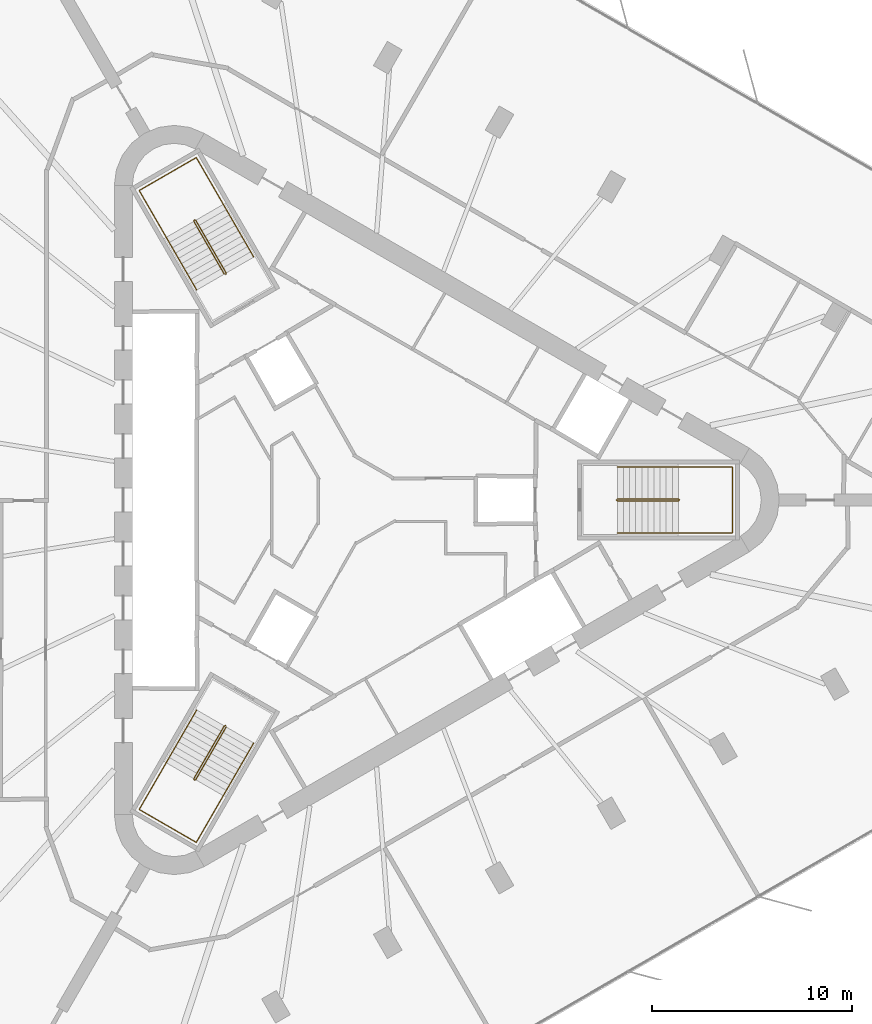
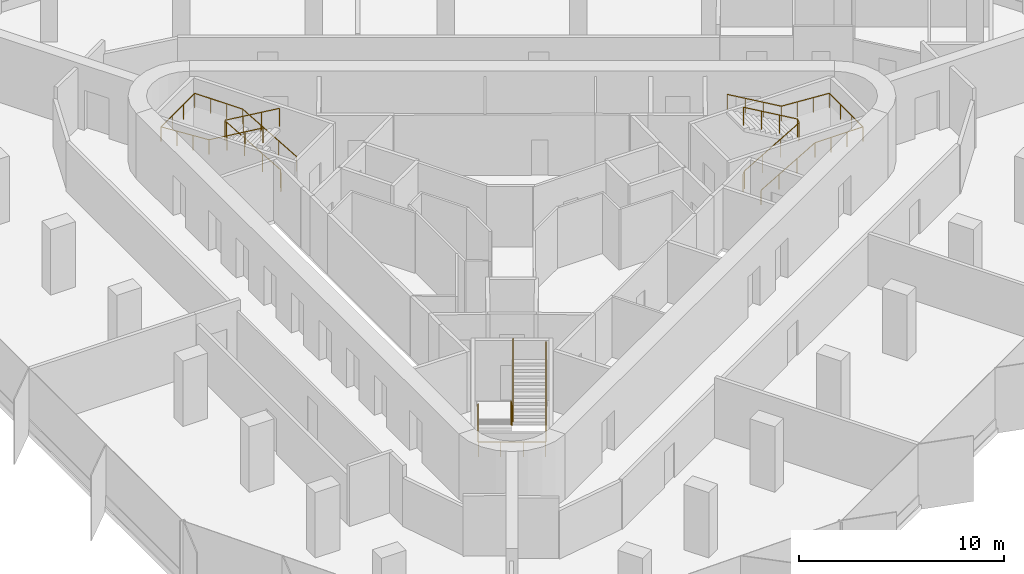
# One storey, part 12 of 12: 6 railings.
"""IFC4 building model written with IfcOpenShell, lengths in metres."""

from ifc_helpers import new_model, si_unit, direction, frame, origin, origin_2d, place, context, subcontext, project, spatial, circle, extrude, material, type_object, element, save


model = new_model("IFC4")

# Units and contexts
model_context = context("Model", 3, precision=1e-05, world=origin(), true_north=direction((0.0, 1.0)))
body_context = subcontext(model_context, "Body", "Model", "MODEL_VIEW")
ifc_project = project(units=[si_unit("LENGTHUNIT", "METRE"), si_unit("AREAUNIT", "SQUARE_METRE"), si_unit("VOLUMEUNIT", "CUBIC_METRE"), si_unit("PLANEANGLEUNIT", "RADIAN"), si_unit("MASSUNIT", "GRAM", prefix="KILO")], contexts=[model_context])

# Site, building, storey
site_placement = place(None, origin())
site = spatial("IfcSite", under=ifc_project, at=site_placement, CompositionType="ELEMENT")
building_placement = place(site_placement, origin())
building = spatial("IfcBuilding", under=site, at=building_placement, Name="Tanit Gate Tower", CompositionType="ELEMENT")
storey_placement = place(building_placement, frame((0.0, 0.0, 333.800048828125)))
storey = spatial("IfcBuildingStorey", under=building, at=storey_placement, Name="L75", CompositionType="ELEMENT", Elevation=333.800048828125)

# Railings
ifc_material_1 = material(Name="Stainless steel balustrade", Category="steel")
railing_type_1 = type_object("IfcRailingType", Name="INT-STAIR-GUARD", PredefinedType="GUARDRAIL", material=ifc_material_1)
railing_1_placement = place(storey_placement, frame((13.044921875, 0.0048828125, 0.0)))
element("IfcRailing", 1, at=railing_1_placement, inside=storey, type_object=railing_type_1, Name="L75 S1 stair guard 1", PredefinedType="GUARDRAIL", context=body_context, shape_type="SweptSolid", body=[
    extrude(circle(Radius=0.02392578125, at=origin_2d()), frame((0.0, 0.0, 1.076171875), z_axis=(0.0, -1.0, 0.0), x_axis=(1.0, 0.0, 0.0)), (0.0, 0.0, 1.0), 0.009765625),
    extrude(circle(Radius=0.02392578125, at=origin_2d()), frame((0.0, -0.009765625, 1.076171875), z_axis=(0.262233686654, -0.262233686654, 0.928691007369), x_axis=(0.707106781187, 0.707106781187, 0.0)), (0.0, 0.0, 1.0), 0.19091796875),
    extrude(circle(Radius=0.02392578125, at=origin_2d()), frame((0.050048828125, -0.059814453125, 1.25341796875), z_axis=(0.864648382064, 0.0, 0.502377522779), x_axis=(0.0, 1.0, 0.0)), (0.0, 0.0, 1.0), 3.528564453125),
    extrude(circle(Radius=0.02392578125, at=origin_2d()), frame((3.10107421875, -0.059814453125, 3.02587890625), z_axis=(0.707106781187, 0.707106781187, 0.0), x_axis=(-0.707106781187, 0.707106781187, 0.0)), (0.0, 0.0, 1.0), 0.07080078125),
    extrude(circle(Radius=0.02392578125, at=origin_2d()), frame((3.151123046875, -0.009765625, 3.02587890625), z_axis=(0.0, 1.0, 0.0), x_axis=(-1.0, 0.0, 0.0)), (0.0, 0.0, 1.0), 0.009765625),
    extrude(circle(Radius=0.02392578125, at=origin_2d()), frame((3.151123046875, 0.0, 3.02587890625), z_axis=(-0.262233686654, 0.262233686654, 0.928691007369), x_axis=(-0.707106781187, -0.707106781187, 0.0)), (0.0, 0.0, 1.0), 0.19091796875),
    extrude(circle(Radius=0.02392578125, at=origin_2d()), frame((3.10107421875, 0.050048828125, 3.203125), z_axis=(-0.864648382064, 0.0, 0.502377522779), x_axis=(0.0, -1.0, 0.0)), (0.0, 0.0, 1.0), 3.528564453125),
    extrude(circle(Radius=0.02099609375, at=origin_2d()), origin(), (0.0, 0.0, 1.0), 1.052001953125),
    extrude(circle(Radius=0.02099609375, at=origin_2d()), frame((0.0, -0.009765625, 0.0)), (0.0, 0.0, 1.0), 1.052001953125),
    extrude(circle(Radius=0.02099609375, at=origin_2d()), frame((0.050048828125, -0.059814453125, 0.17724609375)), (0.0, 0.0, 1.0), 1.052001953125),
    extrude(circle(Radius=0.02099609375, at=origin_2d()), frame((1.067138671875, -0.059814453125, 0.76806640625)), (0.0, 0.0, 1.0), 1.052001953125),
    extrude(circle(Radius=0.02099609375, at=origin_2d()), frame((2.083984375, -0.059814453125, 1.359130859375)), (0.0, 0.0, 1.0), 1.052001953125),
    extrude(circle(Radius=0.02099609375, at=origin_2d()), frame((3.10107421875, -0.059814453125, 1.949951171875)), (0.0, 0.0, 1.0), 1.052001953125),
    extrude(circle(Radius=0.02099609375, at=origin_2d()), frame((3.151123046875, -0.009765625, 1.949951171875)), (0.0, 0.0, 1.0), 1.052001953125),
    extrude(circle(Radius=0.02099609375, at=origin_2d()), frame((3.151123046875, 0.0, 1.949951171875)), (0.0, 0.0, 1.0), 1.052001953125),
    extrude(circle(Radius=0.02099609375, at=origin_2d()), frame((3.10107421875, 0.050048828125, 2.127197265625)), (0.0, 0.0, 1.0), 1.052001953125),
    extrude(circle(Radius=0.02099609375, at=origin_2d()), frame((2.083984375, 0.050048828125, 2.718017578125)), (0.0, 0.0, 1.0), 1.052001953125),
    extrude(circle(Radius=0.02099609375, at=origin_2d()), frame((1.067138671875, 0.050048828125, 3.30908203125)), (0.0, 0.0, 1.0), 1.052001953125),
    extrude(circle(Radius=0.02099609375, at=origin_2d()), frame((0.050048828125, 0.050048828125, 3.89990234375)), (0.0, 0.0, 1.0), 1.052001953125),
])
railing_2_placement = place(storey_placement, frame((-6.527099609375, 11.29345703125, 0.0)))
element("IfcRailing", 2, at=railing_2_placement, inside=storey, type_object=railing_type_1, Name="L75 S2 stair guard 1", PredefinedType="GUARDRAIL", context=body_context, shape_type="SweptSolid", body=[
    extrude(circle(Radius=0.02392578125, at=origin_2d()), frame((0.0, 0.0, 1.076171875), z_axis=(0.868243142124, 0.496138938357, 0.0), x_axis=(-0.496138938357, 0.868243142124, 0.0)), (0.0, 0.0, 1.0), 0.01171875),
    extrude(circle(Radius=0.02392578125, at=origin_2d()), frame((0.01025390625, 0.005859375, 1.076171875), z_axis=(0.095941116058, 0.358180166617, 0.928710003441), x_axis=(-0.965948051503, 0.258736085224, 0.0)), (0.0, 0.0, 1.0), 0.19091796875),
    extrude(circle(Radius=0.02392578125, at=origin_2d()), frame((0.028564453125, 0.07421875, 1.25341796875), z_axis=(-0.4322777601, 0.748681545756, 0.50260509465), x_axis=(-0.866012246495, -0.500022788402, 0.0)), (0.0, 0.0, 1.0), 3.527099609375),
    extrude(circle(Radius=0.02392578125, at=origin_2d()), frame((-1.49609375, 2.71484375, 3.02587890625), z_axis=(-0.965715946433, 0.259601060869, 0.0), x_axis=(-0.259601060869, -0.965715946433, 0.0)), (0.0, 0.0, 1.0), 0.070556640625),
    extrude(circle(Radius=0.02392578125, at=origin_2d()), frame((-1.564208984375, 2.733154296875, 3.02587890625), z_axis=(-0.873197702015, -0.487366159264, 0.0), x_axis=(0.487366159264, -0.873197702015, 0.0)), (0.0, 0.0, 1.0), 0.011962890625),
    extrude(circle(Radius=0.02392578125, at=origin_2d()), frame((-1.57470703125, 2.727294921875, 3.02587890625), z_axis=(-0.095941116058, -0.358180166617, 0.928710003441), x_axis=(0.965948051503, -0.258736085224, 0.0)), (0.0, 0.0, 1.0), 0.19091796875),
    extrude(circle(Radius=0.02392578125, at=origin_2d()), frame((-1.593017578125, 2.658935546875, 3.203125), z_axis=(0.4322777601, -0.748681545756, 0.50260509465), x_axis=(0.866012246495, 0.500022788402, 0.0)), (0.0, 0.0, 1.0), 3.527099609375),
    extrude(circle(Radius=0.02099609375, at=origin_2d()), origin(), (0.0, 0.0, 1.0), 1.052001953125),
    extrude(circle(Radius=0.02099609375, at=origin_2d()), frame((0.01025390625, 0.005859375, 0.0)), (0.0, 0.0, 1.0), 1.052001953125),
    extrude(circle(Radius=0.02099609375, at=origin_2d()), frame((0.028564453125, 0.07421875, 0.17724609375)), (0.0, 0.0, 1.0), 1.052001953125),
    extrude(circle(Radius=0.02099609375, at=origin_2d()), frame((-0.479736328125, 0.954345703125, 0.76806640625)), (0.0, 0.0, 1.0), 1.052001953125),
    extrude(circle(Radius=0.02099609375, at=origin_2d()), frame((-0.98779296875, 1.834716796875, 1.359130859375)), (0.0, 0.0, 1.0), 1.052001953125),
    extrude(circle(Radius=0.02099609375, at=origin_2d()), frame((-1.49609375, 2.71484375, 1.949951171875)), (0.0, 0.0, 1.0), 1.052001953125),
    extrude(circle(Radius=0.02099609375, at=origin_2d()), frame((-1.564208984375, 2.733154296875, 1.949951171875)), (0.0, 0.0, 1.0), 1.052001953125),
    extrude(circle(Radius=0.02099609375, at=origin_2d()), frame((-1.57470703125, 2.727294921875, 1.949951171875)), (0.0, 0.0, 1.0), 1.052001953125),
    extrude(circle(Radius=0.02099609375, at=origin_2d()), frame((-1.593017578125, 2.658935546875, 2.127197265625)), (0.0, 0.0, 1.0), 1.052001953125),
    extrude(circle(Radius=0.02099609375, at=origin_2d()), frame((-1.084716796875, 1.77880859375, 2.718017578125)), (0.0, 0.0, 1.0), 1.052001953125),
    extrude(circle(Radius=0.02099609375, at=origin_2d()), frame((-0.57666015625, 0.8984375, 3.30908203125)), (0.0, 0.0, 1.0), 1.052001953125),
    extrude(circle(Radius=0.02099609375, at=origin_2d()), frame((-0.068359375, 0.018310546875, 3.89990234375)), (0.0, 0.0, 1.0), 1.052001953125),
])
railing_3_placement = place(storey_placement, frame((-6.51806640625, -11.2998046875, 0.0)))
element("IfcRailing", 3, at=railing_3_placement, inside=storey, type_object=railing_type_1, Name="L75 S3 stair guard 1", PredefinedType="GUARDRAIL", context=body_context, shape_type="SweptSolid", body=[
    extrude(circle(Radius=0.02392578125, at=origin_2d()), frame((0.0, 0.0, 1.076171875), z_axis=(-0.874157276122, 0.485642931179, 0.0), x_axis=(-0.485642931179, -0.874157276122, 0.0)), (0.0, 0.0, 1.0), 0.010009765625),
    extrude(circle(Radius=0.02392578125, at=origin_2d()), frame((-0.0087890625, 0.0048828125, 1.076171875), z_axis=(-0.358223840744, -0.094673443625, 0.928823244215), x_axis=(0.255512919477, -0.966805641264, 0.0)), (0.0, 0.0, 1.0), 0.19091796875),
    extrude(circle(Radius=0.02392578125, at=origin_2d()), frame((-0.0771484375, -0.01318359375, 1.25341796875), z_axis=(-0.432289778901, -0.748827189027, 0.502377734411), x_axis=(0.866048339477, -0.499960272111, 0.0)), (0.0, 0.0, 1.0), 3.528564453125),
    extrude(circle(Radius=0.02392578125, at=origin_2d()), frame((-1.6025390625, -2.655517578125, 3.02587890625), z_axis=(0.258736085224, -0.965948051503, 0.0), x_axis=(0.965948051503, 0.258736085224, 0.0)), (0.0, 0.0, 1.0), 0.07080078125),
    extrude(circle(Radius=0.02392578125, at=origin_2d()), frame((-1.584228515625, -2.723876953125, 3.02587890625), z_axis=(0.868243142124, -0.496138938357, 0.0), x_axis=(0.496138938357, 0.868243142124, 0.0)), (0.0, 0.0, 1.0), 0.009765625),
    extrude(circle(Radius=0.02392578125, at=origin_2d()), frame((-1.57568359375, -2.728759765625, 3.02587890625), z_axis=(0.358180166617, 0.095941116058, 0.928710003441), x_axis=(-0.258736085224, 0.965948051503, 0.0)), (0.0, 0.0, 1.0), 0.19091796875),
    extrude(circle(Radius=0.02392578125, at=origin_2d()), frame((-1.50732421875, -2.71044921875, 3.203125), z_axis=(0.432368434633, 0.748774395838, 0.502388734816), x_axis=(-0.865993683553, 0.500054937028, 0.0)), (0.0, 0.0, 1.0), 3.528564453125),
    extrude(circle(Radius=0.02099609375, at=origin_2d()), origin(), (0.0, 0.0, 1.0), 1.052001953125),
    extrude(circle(Radius=0.02099609375, at=origin_2d()), frame((-0.0087890625, 0.0048828125, 0.0)), (0.0, 0.0, 1.0), 1.052001953125),
    extrude(circle(Radius=0.02099609375, at=origin_2d()), frame((-0.0771484375, -0.01318359375, 0.17724609375)), (0.0, 0.0, 1.0), 1.052001953125),
    extrude(circle(Radius=0.02099609375, at=origin_2d()), frame((-0.585693359375, -0.89404296875, 0.76806640625)), (0.0, 0.0, 1.0), 1.052001953125),
    extrude(circle(Radius=0.02099609375, at=origin_2d()), frame((-1.093994140625, -1.774658203125, 1.359130859375)), (0.0, 0.0, 1.0), 1.052001953125),
    extrude(circle(Radius=0.02099609375, at=origin_2d()), frame((-1.6025390625, -2.655517578125, 1.949951171875)), (0.0, 0.0, 1.0), 1.052001953125),
    extrude(circle(Radius=0.02099609375, at=origin_2d()), frame((-1.584228515625, -2.723876953125, 1.949951171875)), (0.0, 0.0, 1.0), 1.052001953125),
    extrude(circle(Radius=0.02099609375, at=origin_2d()), frame((-1.57568359375, -2.728759765625, 1.949951171875)), (0.0, 0.0, 1.0), 1.052001953125),
    extrude(circle(Radius=0.02099609375, at=origin_2d()), frame((-1.50732421875, -2.71044921875, 2.127197265625)), (0.0, 0.0, 1.0), 1.052001953125),
    extrude(circle(Radius=0.02099609375, at=origin_2d()), frame((-0.998779296875, -1.829833984375, 2.718017578125)), (0.0, 0.0, 1.0), 1.052001953125),
    extrude(circle(Radius=0.02099609375, at=origin_2d()), frame((-0.490234375, -0.948974609375, 3.30908203125)), (0.0, 0.0, 1.0), 1.052001953125),
    extrude(circle(Radius=0.02099609375, at=origin_2d()), frame((0.018310546875, -0.068359375, 3.89990234375)), (0.0, 0.0, 1.0), 1.052001953125),
])
ifc_material_2 = material(Name="Stainless steel handrail", Category="steel")
railing_type_2 = type_object("IfcRailingType", Name="INT-STAIR-HANDRAIL", PredefinedType="HANDRAIL", material=ifc_material_2)
railing_4_placement = place(storey_placement, frame((13.094970703125, -1.64990234375, 0.17724609375)))
element("IfcRailing", 4, at=railing_4_placement, inside=storey, type_object=railing_type_2, Name="L75 S1 stair handrail 1", PredefinedType="HANDRAIL", context=body_context, shape_type="SweptSolid", body=[
    extrude(circle(Radius=0.02392578125, at=origin_2d()), frame((0.0, 0.0, 0.8759765625), z_axis=(0.864648382064, 0.0, 0.502377522779), x_axis=(0.0, 1.0, 0.0)), (0.0, 0.0, 1.0), 3.528564453125),
    extrude(circle(Radius=0.02392578125, at=origin_2d()), frame((3.051025390625, 0.0, 2.6484375), z_axis=(1.0, 0.0, 0.0), x_axis=(0.0, 1.0, 0.0)), (0.0, 0.0, 1.0), 2.7041015625),
    extrude(circle(Radius=0.02392578125, at=origin_2d()), frame((5.755126953125, 0.0, 2.6484375), z_axis=(0.0, 1.0, 0.0), x_axis=(-1.0, 0.0, 0.0)), (0.0, 0.0, 1.0), 3.2998046875),
    extrude(circle(Radius=0.02392578125, at=origin_2d()), frame((5.755126953125, 3.2998046875, 2.6484375), z_axis=(-0.997858684482, 0.0, 0.065406771843), x_axis=(0.0, -1.0, 0.0)), (0.0, 0.0, 1.0), 2.7099609375),
    extrude(circle(Radius=0.02392578125, at=origin_2d()), frame((3.051025390625, 3.2998046875, 2.82568359375), z_axis=(-0.864648382064, 0.0, 0.502377522779), x_axis=(0.0, -1.0, 0.0)), (0.0, 0.0, 1.0), 3.528564453125),
    extrude(circle(Radius=0.02099609375, at=origin_2d()), origin(), (0.0, 0.0, 1.0), 0.851806640625),
    extrude(circle(Radius=0.02099609375, at=origin_2d()), frame((1.01708984375, 0.0, 0.5908203125)), (0.0, 0.0, 1.0), 0.851806640625),
    extrude(circle(Radius=0.02099609375, at=origin_2d()), frame((2.033935546875, 0.0, 1.181884765625)), (0.0, 0.0, 1.0), 0.851806640625),
    extrude(circle(Radius=0.02099609375, at=origin_2d()), frame((3.051025390625, 0.0, 1.772705078125)), (0.0, 0.0, 1.0), 0.851806640625),
    extrude(circle(Radius=0.02099609375, at=origin_2d()), frame((3.952392578125, 0.0, 1.772705078125)), (0.0, 0.0, 1.0), 0.851806640625),
    extrude(circle(Radius=0.02099609375, at=origin_2d()), frame((4.853759765625, 0.0, 1.772705078125)), (0.0, 0.0, 1.0), 0.851806640625),
    extrude(circle(Radius=0.02099609375, at=origin_2d()), frame((5.755126953125, 0.0, 1.772705078125)), (0.0, 0.0, 1.0), 0.851806640625),
    extrude(circle(Radius=0.02099609375, at=origin_2d()), frame((5.755126953125, 1.099853515625, 1.772705078125)), (0.0, 0.0, 1.0), 0.851806640625),
    extrude(circle(Radius=0.02099609375, at=origin_2d()), frame((5.755126953125, 2.199951171875, 1.772705078125)), (0.0, 0.0, 1.0), 0.851806640625),
    extrude(circle(Radius=0.02099609375, at=origin_2d()), frame((5.755126953125, 3.2998046875, 1.772705078125)), (0.0, 0.0, 1.0), 0.851806640625),
    extrude(circle(Radius=0.02099609375, at=origin_2d()), frame((4.853759765625, 3.2998046875, 1.831787109375)), (0.0, 0.0, 1.0), 0.851806640625),
    extrude(circle(Radius=0.02099609375, at=origin_2d()), frame((3.952392578125, 3.2998046875, 1.890869140625)), (0.0, 0.0, 1.0), 0.851806640625),
    extrude(circle(Radius=0.02099609375, at=origin_2d()), frame((3.051025390625, 3.2998046875, 1.949951171875)), (0.0, 0.0, 1.0), 0.851806640625),
    extrude(circle(Radius=0.02099609375, at=origin_2d()), frame((2.033935546875, 3.2998046875, 2.540771484375)), (0.0, 0.0, 1.0), 0.851806640625),
    extrude(circle(Radius=0.02099609375, at=origin_2d()), frame((1.01708984375, 3.2998046875, 3.1318359375)), (0.0, 0.0, 1.0), 0.851806640625),
    extrude(circle(Radius=0.02099609375, at=origin_2d()), frame((0.0, 3.2998046875, 3.72265625)), (0.0, 0.0, 1.0), 0.851806640625),
])
railing_5_placement = place(storey_placement, frame((-5.1181640625, 12.164794921875, 0.17724609375)))
element("IfcRailing", 5, at=railing_5_placement, inside=storey, type_object=railing_type_2, Name="L75 S2 stair handrail 1", PredefinedType="HANDRAIL", context=body_context, shape_type="SweptSolid", body=[
    extrude(circle(Radius=0.02392578125, at=origin_2d()), frame((0.0, 0.0, 0.8759765625), z_axis=(-0.432221472453, 0.748703947157, 0.502620133164), x_axis=(-0.866046917185, -0.499962735845, 0.0)), (0.0, 0.0, 1.0), 3.52685546875),
    extrude(circle(Radius=0.02392578125, at=origin_2d()), frame((-1.5244140625, 2.640625, 2.6484375), z_axis=(-0.500019123664, 0.86601436245, 0.0), x_axis=(-0.86601436245, -0.500019123664, 0.0)), (0.0, 0.0, 1.0), 2.70703125),
    extrude(circle(Radius=0.02392578125, at=origin_2d()), frame((-2.8779296875, 4.98486328125, 2.6484375), z_axis=(-0.866008176907, -0.50002983664, 0.0), x_axis=(0.50002983664, -0.866008176907, 0.0)), (0.0, 0.0, 1.0), 3.300048828125),
    extrude(circle(Radius=0.02392578125, at=origin_2d()), frame((-5.73583984375, 3.334716796875, 2.6484375), z_axis=(0.498989459885, -0.864141018102, 0.065343857842), x_axis=(0.865991810323, 0.500058181068, 0.0)), (0.0, 0.0, 1.0), 2.71240234375),
    extrude(circle(Radius=0.02392578125, at=origin_2d()), frame((-4.38232421875, 0.99072265625, 2.82568359375), z_axis=(0.432255358616, -0.748711963836, 0.502579048665), x_axis=(0.866032263162, 0.499988119021, 0.0)), (0.0, 0.0, 1.0), 3.527099609375),
    extrude(circle(Radius=0.02099609375, at=origin_2d()), origin(), (0.0, 0.0, 1.0), 0.851806640625),
    extrude(circle(Radius=0.02099609375, at=origin_2d()), frame((-0.508056640625, 0.880126953125, 0.5908203125)), (0.0, 0.0, 1.0), 0.851806640625),
    extrude(circle(Radius=0.02099609375, at=origin_2d()), frame((-1.016357421875, 1.760498046875, 1.181884765625)), (0.0, 0.0, 1.0), 0.851806640625),
    extrude(circle(Radius=0.02099609375, at=origin_2d()), frame((-1.5244140625, 2.640625, 1.772705078125)), (0.0, 0.0, 1.0), 0.851806640625),
    extrude(circle(Radius=0.02099609375, at=origin_2d()), frame((-1.9755859375, 3.422119140625, 1.772705078125)), (0.0, 0.0, 1.0), 0.851806640625),
    extrude(circle(Radius=0.02099609375, at=origin_2d()), frame((-2.4267578125, 4.203369140625, 1.772705078125)), (0.0, 0.0, 1.0), 0.851806640625),
    extrude(circle(Radius=0.02099609375, at=origin_2d()), frame((-2.8779296875, 4.98486328125, 1.772705078125)), (0.0, 0.0, 1.0), 0.851806640625),
    extrude(circle(Radius=0.02099609375, at=origin_2d()), frame((-3.83056640625, 4.434814453125, 1.772705078125)), (0.0, 0.0, 1.0), 0.851806640625),
    extrude(circle(Radius=0.02099609375, at=origin_2d()), frame((-4.783203125, 3.884765625, 1.772705078125)), (0.0, 0.0, 1.0), 0.851806640625),
    extrude(circle(Radius=0.02099609375, at=origin_2d()), frame((-5.73583984375, 3.334716796875, 1.772705078125)), (0.0, 0.0, 1.0), 0.851806640625),
    extrude(circle(Radius=0.02099609375, at=origin_2d()), frame((-5.28466796875, 2.553466796875, 1.831787109375)), (0.0, 0.0, 1.0), 0.851806640625),
    extrude(circle(Radius=0.02099609375, at=origin_2d()), frame((-4.83349609375, 1.77197265625, 1.890869140625)), (0.0, 0.0, 1.0), 0.851806640625),
    extrude(circle(Radius=0.02099609375, at=origin_2d()), frame((-4.38232421875, 0.99072265625, 1.949951171875)), (0.0, 0.0, 1.0), 0.851806640625),
    extrude(circle(Radius=0.02099609375, at=origin_2d()), frame((-3.8740234375, 0.1103515625, 2.540771484375)), (0.0, 0.0, 1.0), 0.851806640625),
    extrude(circle(Radius=0.02099609375, at=origin_2d()), frame((-3.365966796875, -0.769775390625, 3.1318359375)), (0.0, 0.0, 1.0), 0.851806640625),
    extrude(circle(Radius=0.02099609375, at=origin_2d()), frame((-2.857666015625, -1.650146484375, 3.72265625)), (0.0, 0.0, 1.0), 0.851806640625),
])
railing_6_placement = place(storey_placement, frame((-7.9765625, -10.515625, 0.17724609375)))
element("IfcRailing", 6, at=railing_6_placement, inside=storey, type_object=railing_type_2, Name="L75 S3 stair handrail 1", PredefinedType="HANDRAIL", context=body_context, shape_type="SweptSolid", body=[
    extrude(circle(Radius=0.02392578125, at=origin_2d()), frame((0.0, 0.0, 0.8759765625), z_axis=(-0.432289778901, -0.748827189027, 0.502377734411), x_axis=(0.866048339477, -0.499960272111, 0.0)), (0.0, 0.0, 1.0), 3.528564453125),
    extrude(circle(Radius=0.02392578125, at=origin_2d()), frame((-1.525390625, -2.642333984375, 2.6484375), z_axis=(-0.50004290449, -0.866000631449, 0.0), x_axis=(0.866000631449, -0.50004290449, 0.0)), (0.0, 0.0, 1.0), 2.703857421875),
    extrude(circle(Radius=0.02392578125, at=origin_2d()), frame((-2.87744140625, -4.98388671875, 2.6484375), z_axis=(0.866008176907, -0.50002983664, 0.0), x_axis=(0.50002983664, 0.866008176907, 0.0)), (0.0, 0.0, 1.0), 3.300048828125),
    extrude(circle(Radius=0.02392578125, at=origin_2d()), frame((-0.01953125, -6.634033203125, 2.6484375), z_axis=(0.498933124603, 0.864168748861, 0.065407267689), x_axis=(-0.866023205937, 0.500003806764, 0.0)), (0.0, 0.0, 1.0), 2.7099609375),
    extrude(circle(Radius=0.02392578125, at=origin_2d()), frame((1.33251953125, -4.292236328125, 2.82568359375), z_axis=(0.432289778901, 0.748827189027, 0.502377734411), x_axis=(-0.866048339477, 0.499960272111, 0.0)), (0.0, 0.0, 1.0), 3.528564453125),
    extrude(circle(Radius=0.02099609375, at=origin_2d()), origin(), (0.0, 0.0, 1.0), 0.851806640625),
    extrude(circle(Radius=0.02099609375, at=origin_2d()), frame((-0.508544921875, -0.880859375, 0.5908203125)), (0.0, 0.0, 1.0), 0.851806640625),
    extrude(circle(Radius=0.02099609375, at=origin_2d()), frame((-1.016845703125, -1.761474609375, 1.181884765625)), (0.0, 0.0, 1.0), 0.851806640625),
    extrude(circle(Radius=0.02099609375, at=origin_2d()), frame((-1.525390625, -2.642333984375, 1.772705078125)), (0.0, 0.0, 1.0), 0.851806640625),
    extrude(circle(Radius=0.02099609375, at=origin_2d()), frame((-1.97607421875, -3.4228515625, 1.772705078125)), (0.0, 0.0, 1.0), 0.851806640625),
    extrude(circle(Radius=0.02099609375, at=origin_2d()), frame((-2.4267578125, -4.203369140625, 1.772705078125)), (0.0, 0.0, 1.0), 0.851806640625),
    extrude(circle(Radius=0.02099609375, at=origin_2d()), frame((-2.87744140625, -4.98388671875, 1.772705078125)), (0.0, 0.0, 1.0), 0.851806640625),
    extrude(circle(Radius=0.02099609375, at=origin_2d()), frame((-1.9248046875, -5.533935546875, 1.772705078125)), (0.0, 0.0, 1.0), 0.851806640625),
    extrude(circle(Radius=0.02099609375, at=origin_2d()), frame((-0.97216796875, -6.083984375, 1.772705078125)), (0.0, 0.0, 1.0), 0.851806640625),
    extrude(circle(Radius=0.02099609375, at=origin_2d()), frame((-0.01953125, -6.634033203125, 1.772705078125)), (0.0, 0.0, 1.0), 0.851806640625),
    extrude(circle(Radius=0.02099609375, at=origin_2d()), frame((0.43115234375, -5.853515625, 1.831787109375)), (0.0, 0.0, 1.0), 0.851806640625),
    extrude(circle(Radius=0.02099609375, at=origin_2d()), frame((0.8818359375, -5.07275390625, 1.890869140625)), (0.0, 0.0, 1.0), 0.851806640625),
    extrude(circle(Radius=0.02099609375, at=origin_2d()), frame((1.33251953125, -4.292236328125, 1.949951171875)), (0.0, 0.0, 1.0), 0.851806640625),
    extrude(circle(Radius=0.02099609375, at=origin_2d()), frame((1.841064453125, -3.411376953125, 2.540771484375)), (0.0, 0.0, 1.0), 0.851806640625),
    extrude(circle(Radius=0.02099609375, at=origin_2d()), frame((2.349365234375, -2.53076171875, 3.1318359375)), (0.0, 0.0, 1.0), 0.851806640625),
    extrude(circle(Radius=0.02099609375, at=origin_2d()), frame((2.85791015625, -1.64990234375, 3.72265625)), (0.0, 0.0, 1.0), 0.851806640625),
])

save(model, "model.ifc")
